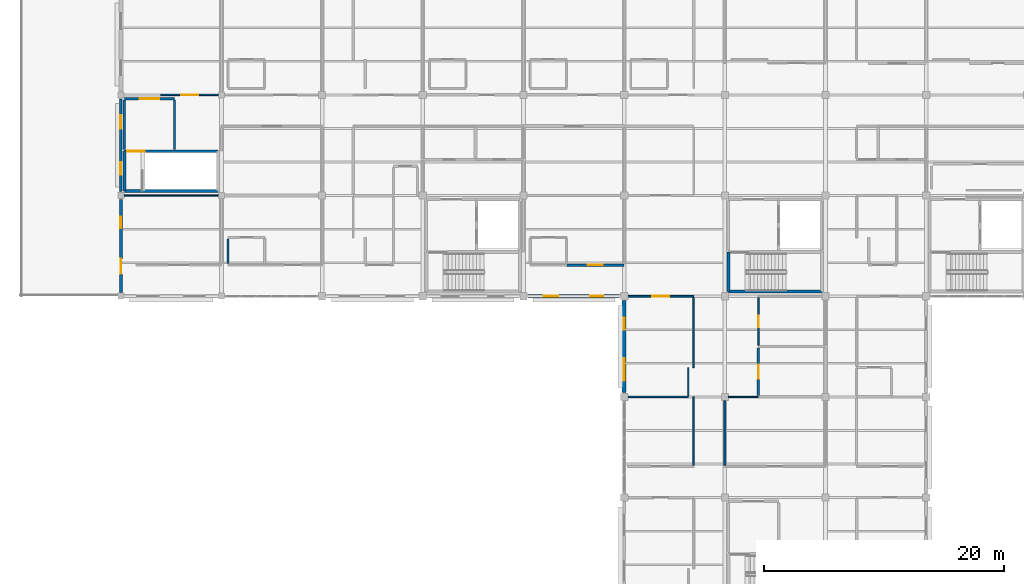
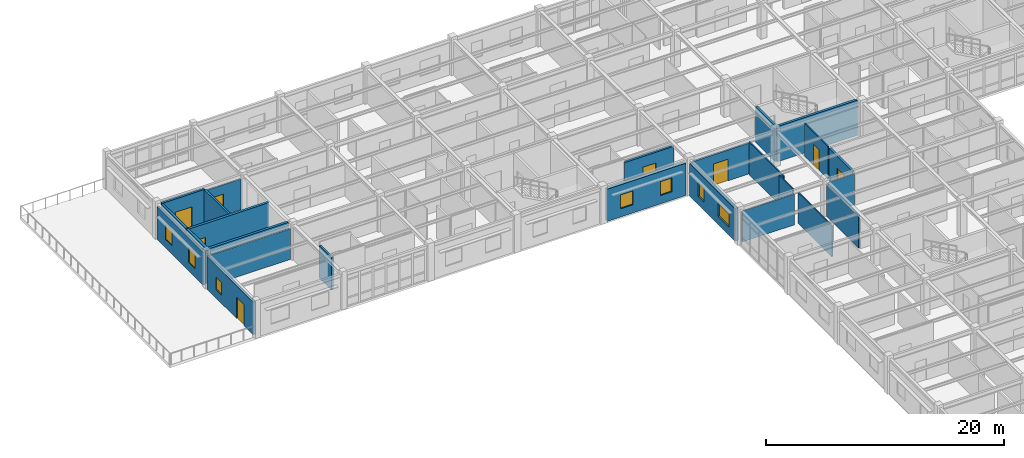
# One storey, part 51 of 70: 25 walls, 8 doors, 7 windows, 15 openings.
"""IFC4 building model written with IfcOpenShell, lengths in metres."""

from ifc_helpers import new_model, si_unit, direction, frame, frame_2d, origin, place, context, subcontext, project, spatial, rectangle, extrude, material, layer, layer_set, type_object, element, fill, save


model = new_model("IFC4")

# Units and contexts
model_context = context("Model", 3, precision=1e-05, world=origin(), true_north=direction((0.0, 1.0)))
body_context = subcontext(model_context, "Body", "Model", "MODEL_VIEW")
ifc_project = project(units=[si_unit("LENGTHUNIT", "METRE"), si_unit("AREAUNIT", "SQUARE_METRE"), si_unit("VOLUMEUNIT", "CUBIC_METRE"), si_unit("PLANEANGLEUNIT", "RADIAN"), si_unit("MASSUNIT", "GRAM", prefix="KILO")], contexts=[model_context])

# Site, building, storey
site_placement = place(None, origin())
site = spatial("IfcSite", under=ifc_project, at=site_placement, CompositionType="ELEMENT")
building_placement = place(site_placement, origin())
building = spatial("IfcBuilding", under=site, at=building_placement, Name="Bramfleet General Hospital", CompositionType="ELEMENT")
storey_placement = place(building_placement, frame((0.0, 0.0, 22.5)))
storey = spatial("IfcBuildingStorey", under=building, at=storey_placement, Name="L05", CompositionType="ELEMENT", Elevation=22.5)

# Wall, openings, windows
ifc_material_1 = material(Name="Precast concrete C40/50", Category="concrete")
ifc_layer_1 = layer(ifc_material_1, 0.3349609375, Name="WT-EW-03")
ifc_layer_set_1 = layer_set([ifc_layer_1], Name="Precast concrete C40/50")
wall_type_1 = type_object("IfcWallType", Name="WT-EW-03", PredefinedType="SOLIDWALL", material=ifc_layer_set_1)
wall_1_placement = place(storey_placement, frame((92.39990234375, 84.375, 0.0), z_axis=(0.0, 0.0, 1.0), x_axis=(0.0, 1.0, 0.0)))
wall_1 = element("IfcWall", 1, at=wall_1_placement, inside=storey, type_object=wall_type_1, Name="L05 Exterior Wall 337", PredefinedType="SOLIDWALL", context=body_context, shape_type="SweptSolid", body=[
    extrude(rectangle(XDim=7.64990234375, YDim=0.3349609375, at=frame_2d((3.824951171875, 0.0))), origin(), (0.0, 0.0, 1.0), 3.340087890625),
])
opening_1_placement = place(wall_1_placement, frame((0.987548828125, 0.0, 0.85009765625)))
opening_1 = element("IfcOpeningElement", 2, at=opening_1_placement, cuts=wall_1, Name="Opening W-10", PredefinedType="OPENING", context=body_context, shape_type="SweptSolid", body=[
    extrude(rectangle(XDim=1.85009765625, YDim=1.300048828125, at=frame_2d((0.925048828125, 0.64990234375))), frame((0.0, 0.177490234375, 0.0), z_axis=(0.0, -1.0, 0.0), x_axis=(1.0, 0.0, 0.0)), (0.0, 0.0, 1.0), 0.35498046875),
])
opening_2_placement = place(wall_1_placement, frame((5.237548828125, 0.0, 0.85009765625)))
opening_2 = element("IfcOpeningElement", 3, at=opening_2_placement, cuts=wall_1, Name="Opening W-11", PredefinedType="OPENING", context=body_context, shape_type="SweptSolid", body=[
    extrude(rectangle(XDim=1.0, YDim=1.419921875, at=frame_2d((0.5, 0.7099609375))), frame((0.0, 0.177490234375, 0.0), z_axis=(0.0, -1.0, 0.0), x_axis=(1.0, 0.0, 0.0)), (0.0, 0.0, 1.0), 0.35498046875),
])
ifc_material_2 = material(Name="Anodised aluminium and low-E triple glazing", Category="aluminium")
window_type_1 = type_object("IfcWindowType", Name="WIN-W-10", PartitioningType="SINGLE_PANEL", PredefinedType="WINDOW", material=ifc_material_2)
window_1_placement = place(opening_1_placement, origin())
window_1 = element("IfcWindow", 4, at=window_1_placement, inside=storey, type_object=window_type_1, Name="L05 Facade Window WIN-L05-337-1", OverallHeight=1.300048828125, OverallWidth=1.85009765625, PartitioningType="SINGLE_PANEL", PredefinedType="WINDOW", context=body_context, shape_type="SweptSolid", body=[
    extrude(rectangle(XDim=1.85009765625, YDim=1.300048828125, at=frame_2d((0.925048828125, 0.64990234375))), frame((0.0, 0.030029296875, 0.0), z_axis=(0.0, -1.0, 0.0), x_axis=(1.0, 0.0, 0.0)), (0.0, 0.0, 1.0), 0.06005859375),
])
fill(opening_1, window_1)
window_type_2 = type_object("IfcWindowType", Name="WIN-W-11", PartitioningType="SINGLE_PANEL", PredefinedType="WINDOW", material=ifc_material_2)
window_2_placement = place(opening_2_placement, origin())
window_2 = element("IfcWindow", 5, at=window_2_placement, inside=storey, type_object=window_type_2, Name="L05 Facade Window WIN-L05-337-2", OverallHeight=1.419921875, OverallWidth=1.0, PartitioningType="SINGLE_PANEL", PredefinedType="WINDOW", context=body_context, shape_type="SweptSolid", body=[
    extrude(rectangle(XDim=1.0, YDim=1.419921875, at=frame_2d((0.5, 0.7099609375))), frame((0.0, 0.030029296875, 0.0), z_axis=(0.0, -1.0, 0.0), x_axis=(1.0, 0.0, 0.0)), (0.0, 0.0, 1.0), 0.06005859375),
])
fill(opening_2, window_2)

ifc_layer_2 = layer(ifc_material_1, 0.31494140625, Name="WT-EW-04")
ifc_layer_set_2 = layer_set([ifc_layer_2], Name="Precast concrete C40/50")
wall_type_2 = type_object("IfcWallType", Name="WT-EW-04", PredefinedType="SOLIDWALL", material=ifc_layer_set_2)
wall_2_placement = place(storey_placement, frame((92.02490234375, 92.39990234375, 0.0), z_axis=(0.0, 0.0, 1.0), x_axis=(-1.0, 0.0, 0.0)))
wall_2 = element("IfcWall", 6, at=wall_2_placement, inside=storey, type_object=wall_type_2, Name="L05 Exterior Wall 338", PredefinedType="SOLIDWALL", context=body_context, shape_type="SweptSolid", body=[
    extrude(rectangle(XDim=7.64990234375, YDim=0.31494140625, at=frame_2d((3.824951171875, 0.0))), origin(), (0.0, 0.0, 1.0), 3.31005859375),
])
opening_3_placement = place(wall_2_placement, frame((1.362548828125, 0.0, 0.85009765625)))
opening_3 = element("IfcOpeningElement", 7, at=opening_3_placement, cuts=wall_2, Name="Opening W-12", PredefinedType="OPENING", context=body_context, shape_type="SweptSolid", body=[
    extrude(rectangle(XDim=1.10009765625, YDim=1.419921875, at=frame_2d((0.550048828125, 0.7099609375))), frame((0.0, 0.16748046875, 0.0), z_axis=(0.0, -1.0, 0.0), x_axis=(1.0, 0.0, 0.0)), (0.0, 0.0, 1.0), 0.3349609375),
])
opening_4_placement = place(wall_2_placement, frame((5.137451171875, 0.0, 0.85009765625)))
opening_4 = element("IfcOpeningElement", 8, at=opening_4_placement, cuts=wall_2, Name="Opening W-13", PredefinedType="OPENING", context=body_context, shape_type="SweptSolid", body=[
    extrude(rectangle(XDim=1.199951171875, YDim=1.419921875, at=frame_2d((0.60009765625, 0.7099609375))), frame((0.0, 0.16748046875, 0.0), z_axis=(0.0, -1.0, 0.0), x_axis=(1.0, 0.0, 0.0)), (0.0, 0.0, 1.0), 0.3349609375),
])
window_type_3 = type_object("IfcWindowType", Name="WIN-W-12", PartitioningType="SINGLE_PANEL", PredefinedType="WINDOW", material=ifc_material_2)
window_3_placement = place(opening_3_placement, origin())
window_3 = element("IfcWindow", 9, at=window_3_placement, inside=storey, type_object=window_type_3, Name="L05 Facade Window WIN-L05-338-1", OverallHeight=1.419921875, OverallWidth=1.10009765625, PartitioningType="SINGLE_PANEL", PredefinedType="WINDOW", context=body_context, shape_type="SweptSolid", body=[
    extrude(rectangle(XDim=1.10009765625, YDim=1.419921875, at=frame_2d((0.550048828125, 0.7099609375))), frame((0.0, 0.030029296875, 0.0), z_axis=(0.0, -1.0, 0.0), x_axis=(1.0, 0.0, 0.0)), (0.0, 0.0, 1.0), 0.06005859375),
])
fill(opening_3, window_3)
window_type_4 = type_object("IfcWindowType", Name="WIN-W-13", PartitioningType="SINGLE_PANEL", PredefinedType="WINDOW", material=ifc_material_2)
window_4_placement = place(opening_4_placement, origin())
window_4 = element("IfcWindow", 10, at=window_4_placement, inside=storey, type_object=window_type_4, Name="L05 Facade Window WIN-L05-338-2", OverallHeight=1.419921875, OverallWidth=1.199951171875, PartitioningType="SINGLE_PANEL", PredefinedType="WINDOW", context=body_context, shape_type="SweptSolid", body=[
    extrude(rectangle(XDim=1.199951171875, YDim=1.419921875, at=frame_2d((0.60009765625, 0.7099609375))), frame((0.0, 0.030029296875, 0.0), z_axis=(0.0, -1.0, 0.0), x_axis=(1.0, 0.0, 0.0)), (0.0, 0.0, 1.0), 0.06005859375),
])
fill(opening_4, window_4)

# Wall, openings, door, window
ifc_layer_3 = layer(ifc_material_1, 0.25, Name="WT-EW-08")
ifc_layer_set_3 = layer_set([ifc_layer_3], Name="Precast concrete C40/50")
wall_type_3 = type_object("IfcWallType", Name="WT-EW-08", PredefinedType="SOLIDWALL", material=ifc_layer_set_3)
wall_3_placement = place(storey_placement, frame((50.39990234375, 92.72509765625, 0.0), z_axis=(0.0, 0.0, 1.0), x_axis=(0.0, 1.0, 0.0)))
wall_3 = element("IfcWall", 11, at=wall_3_placement, inside=storey, type_object=wall_type_3, Name="L05 Exterior Wall 342", PredefinedType="SOLIDWALL", context=body_context, shape_type="SweptSolid", body=[
    extrude(rectangle(XDim=7.75, YDim=0.25, at=frame_2d((3.875, 0.0))), origin(), (0.0, 0.0, 1.0), 3.3701171875),
])
opening_5_placement = place(wall_3_placement, frame((1.5400390625, 0.0, 0.0)))
opening_5 = element("IfcOpeningElement", 12, at=opening_5_placement, cuts=wall_3, Name="Opening D-L05-TER-023", PredefinedType="OPENING", context=body_context, shape_type="SweptSolid", body=[
    extrude(rectangle(XDim=1.260009765625, YDim=2.14990234375, at=frame_2d((0.6298828125, 1.074951171875))), frame((0.0, 0.135009765625, 0.0), z_axis=(0.0, -1.0, 0.0), x_axis=(1.0, 0.0, 0.0)), (0.0, 0.0, 1.0), 0.27001953125),
])
opening_6_placement = place(wall_3_placement, frame((5.33740234375, 0.0, 0.85009765625)))
opening_6 = element("IfcOpeningElement", 13, at=opening_6_placement, cuts=wall_3, Name="Opening W-01", PredefinedType="OPENING", context=body_context, shape_type="SweptSolid", body=[
    extrude(rectangle(XDim=0.949951171875, YDim=1.300048828125, at=frame_2d((0.47509765625, 0.64990234375))), frame((0.0, 0.135009765625, 0.0), z_axis=(0.0, -1.0, 0.0), x_axis=(1.0, 0.0, 0.0)), (0.0, 0.0, 1.0), 0.27001953125),
])
ifc_material_3 = material(Name="Thermally broken steel and laminated safety glass", Category="steel")
door_type_1 = type_object("IfcDoorType", Name="DR-ED-05", OperationType="NOTDEFINED", PredefinedType="DOOR", material=ifc_material_3)
door_1_placement = place(opening_5_placement, origin())
door_1 = element("IfcDoor", 14, at=door_1_placement, inside=storey, type_object=door_type_1, Name="L05 Terrace/Helipad Access Door D-L05-TER-023", OperationType="SINGLE_SWING_RIGHT", OverallHeight=2.14990234375, OverallWidth=1.260009765625, PredefinedType="DOOR", context=body_context, shape_type="SweptSolid", body=[
    extrude(rectangle(XDim=1.260009765625, YDim=2.14990234375, at=frame_2d((0.6298828125, 1.074951171875))), frame((0.0, 0.02490234375, 0.0), z_axis=(0.0, -1.0, 0.0), x_axis=(1.0, 0.0, 0.0)), (0.0, 0.0, 1.0), 0.050048828125),
])
fill(opening_5, door_1)
window_type_5 = type_object("IfcWindowType", Name="WIN-W-01", PartitioningType="SINGLE_PANEL", PredefinedType="WINDOW", material=ifc_material_2)
window_5_placement = place(opening_6_placement, origin())
window_5 = element("IfcWindow", 15, at=window_5_placement, inside=storey, type_object=window_type_5, Name="L05 Facade Window WIN-L05-342-TER", OverallHeight=1.300048828125, OverallWidth=0.949951171875, PartitioningType="SINGLE_PANEL", PredefinedType="WINDOW", context=body_context, shape_type="SweptSolid", body=[
    extrude(rectangle(XDim=0.949951171875, YDim=1.300048828125, at=frame_2d((0.47509765625, 0.64990234375))), frame((0.0, 0.030029296875, 0.0), z_axis=(0.0, -1.0, 0.0), x_axis=(1.0, 0.0, 0.0)), (0.0, 0.0, 1.0), 0.06005859375),
])
fill(opening_6, window_5)

# Wall, openings, windows
ifc_layer_4 = layer(ifc_material_1, 0.235107421875, Name="WT-EW-09")
ifc_layer_set_4 = layer_set([ifc_layer_4], Name="Precast concrete C40/50")
wall_type_4 = type_object("IfcWallType", Name="WT-EW-09", PredefinedType="SOLIDWALL", material=ifc_layer_set_4)
wall_4_placement = place(storey_placement, frame((50.39990234375, 101.125, 0.0), z_axis=(0.0, 0.0, 1.0), x_axis=(0.0, 1.0, 0.0)))
wall_4 = element("IfcWall", 16, at=wall_4_placement, inside=storey, type_object=wall_type_4, Name="L05 Exterior Wall 343", PredefinedType="SOLIDWALL", context=body_context, shape_type="SweptSolid", body=[
    extrude(rectangle(XDim=7.75, YDim=0.235107421875, at=frame_2d((3.875, 0.0))), origin(), (0.0, 0.0, 1.0), 3.3701171875),
])
opening_7_placement = place(wall_4_placement, frame((1.41259765625, 0.0, 0.85009765625)))
opening_7 = element("IfcOpeningElement", 17, at=opening_7_placement, cuts=wall_4, Name="Opening W-21", PredefinedType="OPENING", context=body_context, shape_type="SweptSolid", body=[
    extrude(rectangle(XDim=1.050048828125, YDim=1.5400390625, at=frame_2d((0.52490234375, 0.77001953125))), frame((0.0, 0.12744140625, 0.0), z_axis=(0.0, -1.0, 0.0), x_axis=(1.0, 0.0, 0.0)), (0.0, 0.0, 1.0), 0.255126953125),
])
opening_8_placement = place(wall_4_placement, frame((5.237548828125, 0.0, 0.85009765625)))
opening_8 = element("IfcOpeningElement", 18, at=opening_8_placement, cuts=wall_4, Name="Opening W-22", PredefinedType="OPENING", context=body_context, shape_type="SweptSolid", body=[
    extrude(rectangle(XDim=1.14990234375, YDim=1.5400390625, at=frame_2d((0.574951171875, 0.77001953125))), frame((0.0, 0.12744140625, 0.0), z_axis=(0.0, -1.0, 0.0), x_axis=(1.0, 0.0, 0.0)), (0.0, 0.0, 1.0), 0.255126953125),
])
window_type_6 = type_object("IfcWindowType", Name="WIN-W-21", PartitioningType="SINGLE_PANEL", PredefinedType="WINDOW", material=ifc_material_2)
window_6_placement = place(opening_7_placement, origin())
window_6 = element("IfcWindow", 19, at=window_6_placement, inside=storey, type_object=window_type_6, Name="L05 Facade Window WIN-L05-343-1", OverallHeight=1.5400390625, OverallWidth=1.050048828125, PartitioningType="SINGLE_PANEL", PredefinedType="WINDOW", context=body_context, shape_type="SweptSolid", body=[
    extrude(rectangle(XDim=1.050048828125, YDim=1.5400390625, at=frame_2d((0.52490234375, 0.77001953125))), frame((0.0, 0.030029296875, 0.0), z_axis=(0.0, -1.0, 0.0), x_axis=(1.0, 0.0, 0.0)), (0.0, 0.0, 1.0), 0.06005859375),
])
fill(opening_7, window_6)
window_type_7 = type_object("IfcWindowType", Name="WIN-W-22", PartitioningType="SINGLE_PANEL", PredefinedType="WINDOW", material=ifc_material_2)
window_7_placement = place(opening_8_placement, origin())
window_7 = element("IfcWindow", 20, at=window_7_placement, inside=storey, type_object=window_type_7, Name="L05 Facade Window WIN-L05-343-2", OverallHeight=1.5400390625, OverallWidth=1.14990234375, PartitioningType="SINGLE_PANEL", PredefinedType="WINDOW", context=body_context, shape_type="SweptSolid", body=[
    extrude(rectangle(XDim=1.14990234375, YDim=1.5400390625, at=frame_2d((0.574951171875, 0.77001953125))), frame((0.0, 0.030029296875, 0.0), z_axis=(0.0, -1.0, 0.0), x_axis=(1.0, 0.0, 0.0)), (0.0, 0.0, 1.0), 0.06005859375),
])
fill(opening_8, window_7)

# Wall, opening, door
ifc_material_4 = material(Name="Concrete C35/45", Category="concrete")
ifc_layer_5 = layer(ifc_material_4, 0.219970703125, Name="WT-IW-01")
ifc_layer_set_5 = layer_set([ifc_layer_5], Name="Concrete C35/45")
wall_type_5 = type_object("IfcWallType", Name="WT-IW-01", PredefinedType="PARTITIONING", material=ifc_layer_set_5)
wall_5_placement = place(storey_placement, frame((103.60009765625, 84.114990234375, 0.0), z_axis=(0.0, 0.0, 1.0), x_axis=(0.0, 1.0, 0.0)))
wall_5 = element("IfcWall", 21, at=wall_5_placement, inside=storey, type_object=wall_type_5, Name="L05 Interior Partition IW-L05-3733", PredefinedType="PARTITIONING", context=body_context, shape_type="SweptSolid", body=[
    extrude(rectangle(XDim=3.969970703125, YDim=0.219970703125, at=frame_2d((1.98486328125, 0.0))), origin(), (0.0, 0.0, 1.0), 3.340087890625),
])
opening_9_placement = place(wall_5_placement, frame((1.385009765625, 0.0, 0.0)))
opening_9 = element("IfcOpeningElement", 22, at=opening_9_placement, cuts=wall_5, Name="Opening D1389", PredefinedType="OPENING", context=body_context, shape_type="SweptSolid", body=[
    extrude(rectangle(XDim=1.199951171875, YDim=2.14990234375, at=frame_2d((0.60009765625, 1.074951171875))), frame((0.0, 0.119873046875, 0.0), z_axis=(0.0, -1.0, 0.0), x_axis=(1.0, 0.0, 0.0)), (0.0, 0.0, 1.0), 0.239990234375),
])
ifc_material_5 = material(Name="Stainless steel and acoustic timber leaf", Category="steel")
door_type_2 = type_object("IfcDoorType", Name="DR-D-13", OperationType="NOTDEFINED", PredefinedType="DOOR", material=ifc_material_5)
door_2_placement = place(opening_9_placement, origin())
door_2 = element("IfcDoor", 23, at=door_2_placement, inside=storey, type_object=door_type_2, Name="Clean Medication and Treatment Room L05-1210 Door D1389", OperationType="SINGLE_SWING_RIGHT", OverallHeight=2.14990234375, OverallWidth=1.199951171875, PredefinedType="DOOR", context=body_context, shape_type="SweptSolid", body=[
    extrude(rectangle(XDim=1.199951171875, YDim=2.14990234375, at=frame_2d((0.60009765625, 1.074951171875))), frame((0.0, 0.02490234375, 0.0), z_axis=(0.0, -1.0, 0.0), x_axis=(1.0, 0.0, 0.0)), (0.0, 0.0, 1.0), 0.050048828125),
])
fill(opening_9, door_2)

# Walls
ifc_layer_6 = layer(ifc_material_4, 0.205078125, Name="WT-IW-02")
ifc_layer_set_6 = layer_set([ifc_layer_6], Name="Concrete C35/45")
wall_type_6 = type_object("IfcWallType", Name="WT-IW-02", PredefinedType="PARTITIONING", material=ifc_layer_set_6)
for number, where, z_axis, x_axis, name in (
    (24, (54.8798828125, 104.639892578125, 0.0), (0.0, 0.0, 1.0), (0.0, 1.0, 0.0), "L05 C14 Lobby East Shaft Wall"),
    (25, (50.699951171875, 104.639892578125, 0.0), (0.0, 0.0, 1.0), (0.0, 1.0, 0.0), "L05 C14 Lobby West Compartment Wall"),
):
    element("IfcWall", number, at=place(storey_placement, frame(where, z_axis=z_axis, x_axis=x_axis)), inside=storey, type_object=wall_type_6, Name=name, PredefinedType="PARTITIONING", context=body_context, shape_type="SweptSolid", body=[
        extrude(rectangle(XDim=4.1201171875, YDim=0.205078125, at=frame_2d((2.06005859375, 0.0))), origin(), (0.0, 0.0, 1.0), 3.610107421875),
    ])

# Wall, opening, door
wall_6_placement = place(storey_placement, frame((50.699951171875, 108.8798828125, 0.0), z_axis=(0.0, 0.0, 1.0), x_axis=(1.0, 0.0, 0.0)))
wall_6 = element("IfcWall", 26, at=wall_6_placement, inside=storey, type_object=wall_type_6, Name="L05 C14 Lobby North Compartment Wall", PredefinedType="PARTITIONING", context=body_context, shape_type="SweptSolid", body=[
    extrude(rectangle(XDim=4.179931640625, YDim=0.205078125, at=frame_2d((2.08984375, 0.0))), origin(), (0.0, 0.0, 1.0), 3.610107421875),
])
opening_10_placement = place(wall_6_placement, frame((1.2900390625, 0.0, 0.0)))
opening_10 = element("IfcOpeningElement", 27, at=opening_10_placement, cuts=wall_6, Name="Opening D0188", PredefinedType="OPENING", context=body_context, shape_type="SweptSolid", body=[
    extrude(rectangle(XDim=1.60009765625, YDim=2.25, at=frame_2d((0.800048828125, 1.125))), frame((0.0, 0.112548828125, 0.0), z_axis=(0.0, -1.0, 0.0), x_axis=(1.0, 0.0, 0.0)), (0.0, 0.0, 1.0), 0.22509765625),
])
door_type_3 = type_object("IfcDoorType", Name="DR-D-04", OperationType="NOTDEFINED", PredefinedType="DOOR", material=ifc_material_5)
door_3_placement = place(opening_10_placement, origin())
door_3 = element("IfcDoor", 28, at=door_3_placement, inside=storey, type_object=door_type_3, Name="L05 C14 Lobby Fire Door D0188", OperationType="DOUBLE_SWING_LEFT", OverallHeight=2.25, OverallWidth=1.60009765625, PredefinedType="DOOR", context=body_context, shape_type="SweptSolid", body=[
    extrude(rectangle(XDim=1.60009765625, YDim=2.25, at=frame_2d((0.800048828125, 1.125))), frame((0.0, 0.02490234375, 0.0), z_axis=(0.0, -1.0, 0.0), x_axis=(1.0, 0.0, 0.0)), (0.0, 0.0, 1.0), 0.050048828125),
])
fill(opening_10, door_3)

wall_7_placement = place(storey_placement, frame((87.60009765625, 95.0, 0.0), z_axis=(0.0, 0.0, 1.0), x_axis=(1.0, 0.0, 0.0)))
wall_7 = element("IfcWall", 29, at=wall_7_placement, inside=storey, type_object=wall_type_6, Name="L05 Interior Partition IW-L05-3590", PredefinedType="PARTITIONING", context=body_context, shape_type="SweptSolid", body=[
    extrude(rectangle(XDim=4.7998046875, YDim=0.205078125, at=frame_2d((2.39990234375, 0.0))), origin(), (0.0, 0.0, 1.0), 3.300048828125),
])
opening_11_placement = place(wall_7_placement, frame((1.77490234375, 0.0, 0.0)))
opening_11 = element("IfcOpeningElement", 30, at=opening_11_placement, cuts=wall_7, Name="Opening D1358", PredefinedType="OPENING", context=body_context, shape_type="SweptSolid", body=[
    extrude(rectangle(XDim=1.25, YDim=2.199951171875, at=frame_2d((0.625, 1.10009765625))), frame((0.0, 0.112548828125, 0.0), z_axis=(0.0, -1.0, 0.0), x_axis=(1.0, 0.0, 0.0)), (0.0, 0.0, 1.0), 0.22509765625),
])
door_type_4 = type_object("IfcDoorType", Name="DR-D-14", OperationType="NOTDEFINED", PredefinedType="DOOR", material=ifc_material_5)
door_4_placement = place(opening_11_placement, origin())
door_4 = element("IfcDoor", 31, at=door_4_placement, inside=storey, type_object=door_type_4, Name="Medical and Cardiology Ward Bedroom L05-1011 Door D1358", OperationType="SINGLE_SWING_LEFT", OverallHeight=2.199951171875, OverallWidth=1.25, PredefinedType="DOOR", context=body_context, shape_type="SweptSolid", body=[
    extrude(rectangle(XDim=1.25, YDim=2.199951171875, at=frame_2d((0.625, 1.10009765625))), frame((0.0, 0.02490234375, 0.0), z_axis=(0.0, -1.0, 0.0), x_axis=(1.0, 0.0, 0.0)), (0.0, 0.0, 1.0), 0.050048828125),
])
fill(opening_11, door_4)

# Wall
ifc_material_6 = material(Name="Gypsum plasterboard on acoustic steel studs", Category="steel")
ifc_layer_7 = layer(ifc_material_6, 0.169921875, Name="WT-IW-05")
ifc_layer_set_7 = layer_set([ifc_layer_7], Name="Gypsum plasterboard on acoustic steel studs")
wall_type_7 = type_object("IfcWallType", Name="WT-IW-05", PredefinedType="PARTITIONING", material=ifc_layer_set_7)
wall_8_placement = place(storey_placement, frame((59.35009765625, 95.114990234375, 0.0), z_axis=(0.0, 0.0, 1.0), x_axis=(0.0, 1.0, 0.0)))
element("IfcWall", 32, at=wall_8_placement, inside=storey, type_object=wall_type_7, Name="L05 Interior Partition IW-L05-3665", PredefinedType="PARTITIONING", context=body_context, shape_type="SweptSolid", body=[
    extrude(rectangle(XDim=2.070068359375, YDim=0.169921875, at=frame_2d((1.03515625, 0.0))), origin(), (0.0, 0.0, 1.0), 3.330078125),
])

# Wall, opening, door
ifc_layer_8 = layer(ifc_material_6, 0.159912109375, Name="WT-IW-06")
ifc_layer_set_8 = layer_set([ifc_layer_8], Name="Gypsum plasterboard on acoustic steel studs")
wall_type_8 = type_object("IfcWallType", Name="WT-IW-06", PredefinedType="PARTITIONING", material=ifc_layer_set_8)
wall_9_placement = place(storey_placement, frame((92.695068359375, 92.39990234375, 0.0), z_axis=(0.0, 0.0, 1.0), x_axis=(1.0, 0.0, 0.0)))
wall_9 = element("IfcWall", 33, at=wall_9_placement, inside=storey, type_object=wall_type_8, Name="L05 Interior Partition IW-L05-3582", PredefinedType="PARTITIONING", context=body_context, shape_type="SweptSolid", body=[
    extrude(rectangle(XDim=5.5048828125, YDim=0.159912109375, at=frame_2d((2.75244140625, 0.0))), origin(), (0.0, 0.0, 1.0), 3.159912109375),
])
opening_12_placement = place(wall_9_placement, frame((2.04248046875, 0.0, 0.0)))
opening_12 = element("IfcOpeningElement", 34, at=opening_12_placement, cuts=wall_9, Name="Opening D1375", PredefinedType="OPENING", context=body_context, shape_type="SweptSolid", body=[
    extrude(rectangle(XDim=1.419921875, YDim=2.219970703125, at=frame_2d((0.7099609375, 1.10986328125))), frame((0.0, 0.08984375, 0.0), z_axis=(0.0, -1.0, 0.0), x_axis=(1.0, 0.0, 0.0)), (0.0, 0.0, 1.0), 0.179931640625),
])
door_type_5 = type_object("IfcDoorType", Name="DR-D-31", OperationType="NOTDEFINED", PredefinedType="DOOR", material=ifc_material_5)
door_5_placement = place(opening_12_placement, origin())
door_5 = element("IfcDoor", 35, at=door_5_placement, inside=storey, type_object=door_type_5, Name="Medical and Cardiology Ward Bedroom L05-1110 Door D1375", OperationType="SINGLE_SWING_RIGHT", OverallHeight=2.219970703125, OverallWidth=1.419921875, PredefinedType="DOOR", context=body_context, shape_type="SweptSolid", body=[
    extrude(rectangle(XDim=1.419921875, YDim=2.219970703125, at=frame_2d((0.7099609375, 1.10986328125))), frame((0.0, 0.02490234375, 0.0), z_axis=(0.0, -1.0, 0.0), x_axis=(1.0, 0.0, 0.0)), (0.0, 0.0, 1.0), 0.050048828125),
])
fill(opening_12, door_5)

# Walls
wall_10_placement = place(storey_placement, frame((100.800048828125, 78.31494140625, 0.0), z_axis=(0.0, 0.0, 1.0), x_axis=(0.0, 1.0, 0.0)))
element("IfcWall", 36, at=wall_10_placement, inside=storey, type_object=wall_type_8, Name="L05 Interior Partition IW-L05-3726", PredefinedType="PARTITIONING", context=body_context, shape_type="SweptSolid", body=[
    extrude(rectangle(XDim=5.39013671875, YDim=0.159912109375, at=frame_2d((2.695068359375, 0.0))), origin(), (0.0, 0.0, 1.0), 3.300048828125),
])
ifc_layer_9 = layer(ifc_material_6, 0.1298828125, Name="WT-IW-09")
ifc_layer_set_9 = layer_set([ifc_layer_9], Name="Gypsum plasterboard on acoustic steel studs")
wall_type_9 = type_object("IfcWallType", Name="WT-IW-09", PredefinedType="PARTITIONING", material=ifc_layer_set_9)
wall_11_placement = place(storey_placement, frame((98.199951171875, 78.31494140625, 0.0), z_axis=(0.0, 0.0, 1.0), x_axis=(0.0, 1.0, 0.0)))
element("IfcWall", 37, at=wall_11_placement, inside=storey, type_object=wall_type_9, Name="L05 Interior Partition IW-L05-3717", PredefinedType="PARTITIONING", context=body_context, shape_type="SweptSolid", body=[
    extrude(rectangle(XDim=5.68505859375, YDim=0.1298828125, at=frame_2d((2.842529296875, 0.0))), origin(), (0.0, 0.0, 1.0), 3.159912109375),
])

# Wall, opening, door
ifc_layer_10 = layer(ifc_material_6, 0.1201171875, Name="WT-IW-10")
ifc_layer_set_10 = layer_set([ifc_layer_10], Name="Gypsum plasterboard on acoustic steel studs")
wall_type_10 = type_object("IfcWallType", Name="WT-IW-10", PredefinedType="PARTITIONING", material=ifc_layer_set_10)
wall_12_placement = place(storey_placement, frame((53.75, 109.199951171875, 0.0), z_axis=(0.0, 0.0, 1.0), x_axis=(1.0, 0.0, 0.0)))
wall_12 = element("IfcWall", 38, at=wall_12_placement, inside=storey, type_object=wall_type_10, Name="L05 Interior Partition IW-L05-3634", PredefinedType="PARTITIONING", context=body_context, shape_type="SweptSolid", body=[
    extrude(rectangle(XDim=4.804931640625, YDim=0.1201171875, at=frame_2d((2.40234375, 0.0))), origin(), (0.0, 0.0, 1.0), 3.14990234375),
])
opening_13_placement = place(wall_12_placement, frame((1.702392578125, 0.0, 0.0)))
opening_13 = element("IfcOpeningElement", 39, at=opening_13_placement, cuts=wall_12, Name="Opening D1345", PredefinedType="OPENING", context=body_context, shape_type="SweptSolid", body=[
    extrude(rectangle(XDim=1.39990234375, YDim=2.199951171875, at=frame_2d((0.699951171875, 1.10009765625))), frame((0.0, 0.070068359375, 0.0), z_axis=(0.0, -1.0, 0.0), x_axis=(1.0, 0.0, 0.0)), (0.0, 0.0, 1.0), 0.14013671875),
])
door_type_6 = type_object("IfcDoorType", Name="DR-D-01", OperationType="NOTDEFINED", PredefinedType="DOOR", material=ifc_material_5)
door_6_placement = place(opening_13_placement, origin())
door_6 = element("IfcDoor", 40, at=door_6_placement, inside=storey, type_object=door_type_6, Name="Patient Dayroom and Garden Lounge L05-0613 Door D1345", OperationType="SINGLE_SWING_RIGHT", OverallHeight=2.199951171875, OverallWidth=1.39990234375, PredefinedType="DOOR", context=body_context, shape_type="SweptSolid", body=[
    extrude(rectangle(XDim=1.39990234375, YDim=2.199951171875, at=frame_2d((0.699951171875, 1.10009765625))), frame((0.0, 0.02490234375, 0.0), z_axis=(0.0, -1.0, 0.0), x_axis=(1.0, 0.0, 0.0)), (0.0, 0.0, 1.0), 0.050048828125),
])
fill(opening_13, door_6)

# Wall
wall_13_placement = place(storey_placement, frame((98.199951171875, 86.449951171875, 0.0), z_axis=(0.0, 0.0, 1.0), x_axis=(0.0, 1.0, 0.0)))
element("IfcWall", 41, at=wall_13_placement, inside=storey, type_object=wall_type_10, Name="L05 Interior Partition IW-L05-3718", PredefinedType="PARTITIONING", context=body_context, shape_type="SweptSolid", body=[
    extrude(rectangle(XDim=5.8349609375, YDim=0.1201171875, at=frame_2d((2.91748046875, 0.0))), origin(), (0.0, 0.0, 1.0), 3.340087890625),
])

# Wall, opening, door
wall_14_placement = place(storey_placement, frame((103.60009765625, 88.31494140625, 0.0), z_axis=(0.0, 0.0, 1.0), x_axis=(0.0, 1.0, 0.0)))
wall_14 = element("IfcWall", 42, at=wall_14_placement, inside=storey, type_object=wall_type_10, Name="L05 Interior Partition IW-L05-3734", PredefinedType="PARTITIONING", context=body_context, shape_type="SweptSolid", body=[
    extrude(rectangle(XDim=3.969970703125, YDim=0.1201171875, at=frame_2d((1.98486328125, 0.0))), origin(), (0.0, 0.0, 1.0), 3.340087890625),
])
opening_14_placement = place(wall_14_placement, frame((1.510009765625, 0.0, 0.0)))
opening_14 = element("IfcOpeningElement", 43, at=opening_14_placement, cuts=wall_14, Name="Opening D1390", PredefinedType="OPENING", context=body_context, shape_type="SweptSolid", body=[
    extrude(rectangle(XDim=0.949951171875, YDim=2.10009765625, at=frame_2d((0.47509765625, 1.050048828125))), frame((0.0, 0.070068359375, 0.0), z_axis=(0.0, -1.0, 0.0), x_axis=(1.0, 0.0, 0.0)), (0.0, 0.0, 1.0), 0.14013671875),
])
door_type_7 = type_object("IfcDoorType", Name="DR-D-10", OperationType="NOTDEFINED", PredefinedType="DOOR", material=ifc_material_5)
door_7_placement = place(opening_14_placement, origin())
door_7 = element("IfcDoor", 44, at=door_7_placement, inside=storey, type_object=door_type_7, Name="L05 Accessible and Staff WC 1210 Door D1390", OperationType="SINGLE_SWING_LEFT", OverallHeight=2.10009765625, OverallWidth=0.949951171875, PredefinedType="DOOR", context=body_context, shape_type="SweptSolid", body=[
    extrude(rectangle(XDim=0.949951171875, YDim=2.10009765625, at=frame_2d((0.47509765625, 1.050048828125))), frame((0.0, 0.02490234375, 0.0), z_axis=(0.0, -1.0, 0.0), x_axis=(1.0, 0.0, 0.0)), (0.0, 0.0, 1.0), 0.050048828125),
])
fill(opening_14, door_7)

# Walls
ifc_layer_11 = layer(ifc_material_6, 0.112060546875, Name="WT-IW-11")
ifc_layer_set_11 = layer_set([ifc_layer_11], Name="Gypsum plasterboard on acoustic steel studs")
wall_type_11 = type_object("IfcWallType", Name="WT-IW-11", PredefinedType="PARTITIONING", material=ifc_layer_set_11)
wall_15_placement = place(storey_placement, frame((92.695068359375, 84.0, 0.0), z_axis=(0.0, 0.0, 1.0), x_axis=(1.0, 0.0, 0.0)))
element("IfcWall", 45, at=wall_15_placement, inside=storey, type_object=wall_type_11, Name="L05 Interior Partition IW-L05-3575", PredefinedType="PARTITIONING", context=body_context, shape_type="SweptSolid", body=[
    extrude(rectangle(XDim=5.054931640625, YDim=0.112060546875, at=frame_2d((2.52734375, 0.0))), origin(), (0.0, 0.0, 1.0), 3.159912109375),
])
wall_16_placement = place(storey_placement, frame((97.75, 84.114990234375, 0.0), z_axis=(0.0, 0.0, 1.0), x_axis=(0.0, 1.0, 0.0)))
element("IfcWall", 46, at=wall_16_placement, inside=storey, type_object=wall_type_11, Name="L05 Interior Partition IW-L05-3707", PredefinedType="PARTITIONING", context=body_context, shape_type="SweptSolid", body=[
    extrude(rectangle(XDim=2.3349609375, YDim=0.112060546875, at=frame_2d((1.16748046875, 0.0))), origin(), (0.0, 0.0, 1.0), 3.610107421875),
])
ifc_layer_12 = layer(ifc_material_6, 0.10009765625, Name="WT-IW-12")
ifc_layer_set_12 = layer_set([ifc_layer_12], Name="Gypsum plasterboard on acoustic steel studs")
wall_type_12 = type_object("IfcWallType", Name="WT-IW-12", PredefinedType="PARTITIONING", material=ifc_layer_set_12)
wall_17_placement = place(storey_placement, frame((101.094970703125, 84.0, 0.0), z_axis=(0.0, 0.0, 1.0), x_axis=(1.0, 0.0, 0.0)))
element("IfcWall", 47, at=wall_17_placement, inside=storey, type_object=wall_type_12, Name="L05 Interior Partition IW-L05-3576", PredefinedType="PARTITIONING", context=body_context, shape_type="SweptSolid", body=[
    extrude(rectangle(XDim=2.505126953125, YDim=0.10009765625, at=frame_2d((1.25244140625, 0.0))), origin(), (0.0, 0.0, 1.0), 3.159912109375),
])
wall_18_placement = place(storey_placement, frame((50.64501953125, 100.800048828125, 0.0), z_axis=(0.0, 0.0, 1.0), x_axis=(1.0, 0.0, 0.0)))
element("IfcWall", 48, at=wall_18_placement, inside=storey, type_object=wall_type_12, Name="L05 Interior Partition IW-L05-3600", PredefinedType="PARTITIONING", context=body_context, shape_type="SweptSolid", body=[
    extrude(rectangle(XDim=7.909912109375, YDim=0.10009765625, at=frame_2d((3.955078125, 0.0))), origin(), (0.0, 0.0, 1.0), 3.14990234375),
])
ifc_material_7 = material(Name="Concrete C40/50", Category="concrete")
ifc_layer_13 = layer(ifc_material_7, 0.239990234375, Name="WT-SW-240")
ifc_layer_set_13 = layer_set([ifc_layer_13], Name="Concrete C40/50")
wall_type_13 = type_object("IfcWallType", Name="WT-SW-240", PredefinedType="SHEAR", material=ifc_layer_set_13)
wall_19_placement = place(storey_placement, frame((101.10009765625, 92.780029296875, 0.0), z_axis=(0.0, 0.0, 1.0), x_axis=(1.0, 0.0, 0.0)))
element("IfcWall", 49, at=wall_19_placement, inside=storey, type_object=wall_type_13, Name="L05 C4 South Stair Shear Wall", PredefinedType="SHEAR", context=body_context, shape_type="SweptSolid", body=[
    extrude(rectangle(XDim=7.81982421875, YDim=0.239990234375, at=frame_2d((3.909912109375, 0.0))), origin(), (0.0, 0.0, 1.0), 3.6201171875),
])
wall_20_placement = place(storey_placement, frame((101.10009765625, 92.780029296875, 0.0), z_axis=(0.0, 0.0, 1.0), x_axis=(0.0, 1.0, 0.0)))
element("IfcWall", 50, at=wall_20_placement, inside=storey, type_object=wall_type_13, Name="L05 C4 West Stair Shear Wall", PredefinedType="SHEAR", context=body_context, shape_type="SweptSolid", body=[
    extrude(rectangle(XDim=3.320068359375, YDim=0.239990234375, at=frame_2d((1.66015625, 0.0))), origin(), (0.0, 0.0, 1.0), 3.6201171875),
])
wall_21_placement = place(storey_placement, frame((50.699951171875, 101.179931640625, 0.0), z_axis=(0.0, 0.0, 1.0), x_axis=(1.0, 0.0, 0.0)))
element("IfcWall", 51, at=wall_21_placement, inside=storey, type_object=wall_type_13, Name="L05 C14 South Stair Shear Wall", PredefinedType="SHEAR", context=body_context, shape_type="SweptSolid", body=[
    extrude(rectangle(XDim=7.820068359375, YDim=0.239990234375, at=frame_2d((3.91015625, 0.0))), origin(), (0.0, 0.0, 1.0), 3.6201171875),
])
wall_22_placement = place(storey_placement, frame((50.699951171875, 101.179931640625, 0.0), z_axis=(0.0, 0.0, 1.0), x_axis=(0.0, 1.0, 0.0)))
element("IfcWall", 52, at=wall_22_placement, inside=storey, type_object=wall_type_13, Name="L05 C14 West Stair Shear Wall", PredefinedType="SHEAR", context=body_context, shape_type="SweptSolid", body=[
    extrude(rectangle(XDim=3.320068359375, YDim=0.239990234375, at=frame_2d((1.66015625, 0.0))), origin(), (0.0, 0.0, 1.0), 3.6201171875),
])

# Wall, opening, door
wall_23_placement = place(storey_placement, frame((50.699951171875, 104.5, 0.0), z_axis=(0.0, 0.0, 1.0), x_axis=(1.0, 0.0, 0.0)))
wall_23 = element("IfcWall", 53, at=wall_23_placement, inside=storey, type_object=wall_type_13, Name="L05 C14 Stair-Lobby Shear Wall", PredefinedType="SHEAR", context=body_context, shape_type="SweptSolid", body=[
    extrude(rectangle(XDim=7.820068359375, YDim=0.239990234375, at=frame_2d((3.91015625, 0.0))), origin(), (0.0, 0.0, 1.0), 3.6201171875),
])
opening_15_placement = place(wall_23_placement, frame((0.25, 0.0, 0.0)))
opening_15 = element("IfcOpeningElement", 54, at=opening_15_placement, cuts=wall_23, Name="Opening D0187", PredefinedType="OPENING", context=body_context, shape_type="SweptSolid", body=[
    extrude(rectangle(XDim=1.449951171875, YDim=2.199951171875, at=frame_2d((0.72509765625, 1.10009765625))), frame((0.0, 0.1298828125, 0.0), z_axis=(0.0, -1.0, 0.0), x_axis=(1.0, 0.0, 0.0)), (0.0, 0.0, 1.0), 0.260009765625),
])
door_type_8 = type_object("IfcDoorType", Name="DR-D-03", OperationType="NOTDEFINED", PredefinedType="DOOR", material=ifc_material_5)
door_8_placement = place(opening_15_placement, origin())
door_8 = element("IfcDoor", 55, at=door_8_placement, inside=storey, type_object=door_type_8, Name="L05 C14 Escape Stair Fire Door D0187", OperationType="SINGLE_SWING_RIGHT", OverallHeight=2.199951171875, OverallWidth=1.449951171875, PredefinedType="DOOR", context=body_context, shape_type="SweptSolid", body=[
    extrude(rectangle(XDim=1.449951171875, YDim=2.199951171875, at=frame_2d((0.72509765625, 1.10009765625))), frame((0.0, 0.02490234375, 0.0), z_axis=(0.0, -1.0, 0.0), x_axis=(1.0, 0.0, 0.0)), (0.0, 0.0, 1.0), 0.050048828125),
])
fill(opening_15, door_8)

save(model, "model.ifc")
